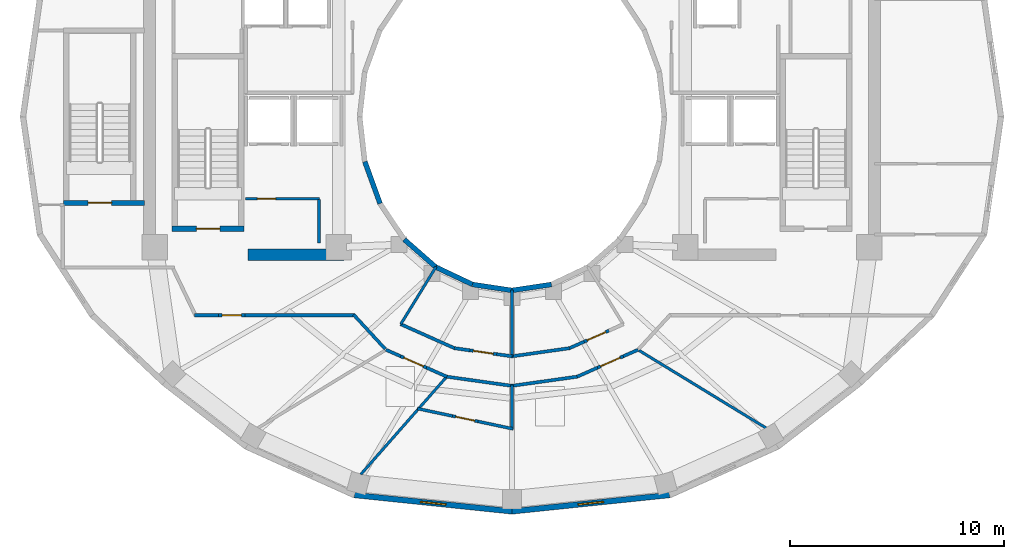
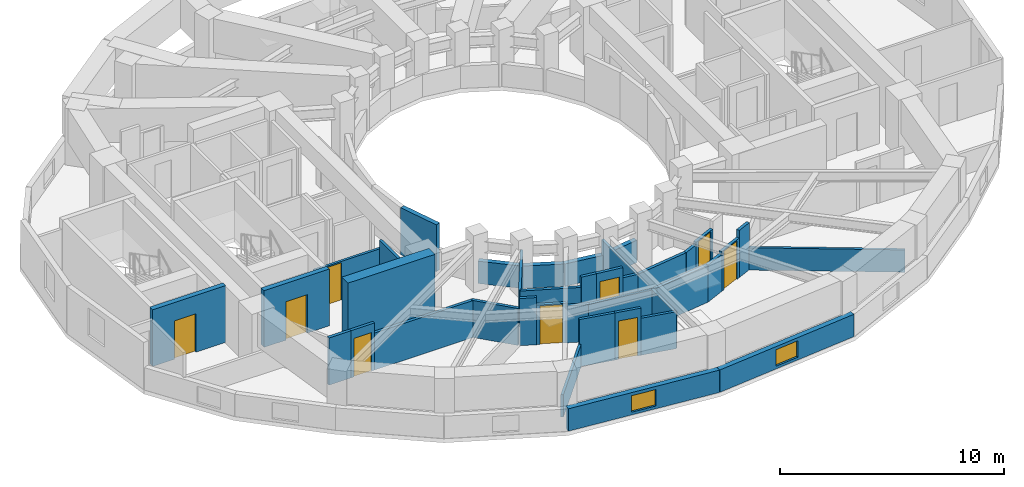
# One storey, part 3 of 9: 39 walls, 9 doors, 2 windows, 11 openings.
"""IFC4 building model written with IfcOpenShell, lengths in metres."""

from ifc_helpers import new_model, si_unit, direction, frame, frame_2d, origin, place, context, subcontext, project, spatial, rectangle, extrude, material, layer, layer_set, type_object, element, fill, save


model = new_model("IFC4")

# Units and contexts
model_context = context("Model", 3, precision=1e-05, world=origin(), true_north=direction((0.0, 1.0)))
body_context = subcontext(model_context, "Body", "Model", "MODEL_VIEW")
ifc_project = project(units=[si_unit("LENGTHUNIT", "METRE"), si_unit("AREAUNIT", "SQUARE_METRE"), si_unit("VOLUMEUNIT", "CUBIC_METRE"), si_unit("PLANEANGLEUNIT", "RADIAN"), si_unit("MASSUNIT", "GRAM", prefix="KILO")], contexts=[model_context])

# Site, building, storey
site_placement = place(None, origin())
site = spatial("IfcSite", under=ifc_project, at=site_placement, CompositionType="ELEMENT")
building_placement = place(site_placement, origin())
building = spatial("IfcBuilding", under=site, at=building_placement, Name="Solvane Sanctuary Tower", CompositionType="ELEMENT")
storey_placement = place(building_placement, frame((0.0, 0.0, 177.699951171875)))
storey = spatial("IfcBuildingStorey", under=building, at=storey_placement, Name="L54", CompositionType="ELEMENT", Elevation=177.699951171875)

# Walls
ifc_material_1 = material(Name="Concrete C50/60", Category="concrete")
ifc_layer_1 = layer(ifc_material_1, 0.550048828125, Name="Concrete C50/60")
ifc_layer_set_1 = layer_set([ifc_layer_1], Name="Concrete C50/60")
wall_type_1 = type_object("IfcWallType", Name="Wall W-CORE-550", PredefinedType="SHEAR", material=ifc_layer_set_1)
wall_1_placement = place(storey_placement, frame((19.64990234375, 16.550048828125, 0.0), z_axis=(0.0, 0.0, 1.0), x_axis=(1.0, 0.0, 0.0)))
element("IfcWall", 1, at=wall_1_placement, inside=storey, type_object=wall_type_1, Name="L54 Core Shear Wall WC-S", PredefinedType="SHEAR", context=body_context, shape_type="SweptSolid", body=[
    extrude(rectangle(XDim=4.5, YDim=0.550048828125, at=frame_2d((2.25, 0.0))), origin(), (0.0, 0.0, 1.0), 3.10009765625),
])
ifc_material_2 = material(Name="Acoustic Gypsum Partition Board")
ifc_layer_2 = layer(ifc_material_2, 0.14990234375, Name="Acoustic Gypsum Partition Board")
ifc_layer_set_2 = layer_set([ifc_layer_2], Name="Acoustic Gypsum Partition Board")
wall_type_2 = type_object("IfcWallType", Name="Wall W-CORR-150", PredefinedType="PARTITIONING", material=ifc_layer_set_2)
wall_2_placement = place(storey_placement, frame((26.07177734375, 12.144287109375, 0.0), z_axis=(0.0, 0.0, 1.0), x_axis=(-0.677579737957, 0.735449317567, 0.0)))
element("IfcWall", 2, at=wall_2_placement, inside=storey, type_object=wall_type_2, Name="L54 SW Corner Throat Wall", PredefinedType="PARTITIONING", context=body_context, shape_type="SweptSolid", body=[
    extrude(rectangle(XDim=2.172607421875, YDim=0.14990234375, at=frame_2d((1.08642578125, 0.0))), origin(), (0.0, 0.0, 1.0), 2.01904296875),
])
wall_3_placement = place(storey_placement, frame((17.14990234375, 13.719970703125, 0.0), z_axis=(0.0, 0.0, 1.0), x_axis=(1.0, 0.0, 0.0)))
element("IfcWall", 3, at=wall_3_placement, inside=storey, type_object=wall_type_2, Name="L54 SW Corner Corridor Wall", PredefinedType="PARTITIONING", context=body_context, shape_type="SweptSolid", body=[
    extrude(rectangle(XDim=1.14013671875, YDim=0.14990234375, at=frame_2d((0.570068359375, 0.0))), origin(), (0.0, 0.0, 1.0), 2.574951171875),
])

# Wall, opening, door
wall_4_placement = place(storey_placement, frame((18.2900390625, 13.719970703125, 0.0), z_axis=(0.0, 0.0, 1.0), x_axis=(1.0, 0.0, 0.0)))
wall_4 = element("IfcWall", 4, at=wall_4_placement, inside=storey, type_object=wall_type_2, Name="L54 SW Corner Corridor Wall", PredefinedType="PARTITIONING", context=body_context, shape_type="SweptSolid", body=[
    extrude(rectangle(XDim=1.219970703125, YDim=0.14990234375, at=frame_2d((0.60986328125, 0.0))), origin(), (0.0, 0.0, 1.0), 2.574951171875),
])
opening_1_placement = place(wall_4_placement, frame((0.159912109375, 0.0, 0.0)))
opening_1 = element("IfcOpeningElement", 5, at=opening_1_placement, cuts=wall_4, Name="Opening D-L54-16", PredefinedType="OPENING", context=body_context, shape_type="SweptSolid", body=[
    extrude(rectangle(XDim=0.89990234375, YDim=2.10009765625, at=frame_2d((0.449951171875, 1.050048828125))), frame((0.0, 0.0849609375, 0.0), z_axis=(0.0, -1.0, 0.0), x_axis=(1.0, 0.0, 0.0)), (0.0, 0.0, 1.0), 0.169921875),
])
ifc_material_3 = material(Name="Engineered Tropical Hardwood", Category="wood")
door_type_1 = type_object("IfcDoorType", Name="Door D-WET-900", OperationType="NOTDEFINED", PredefinedType="DOOR", material=ifc_material_3)
door_1_placement = place(opening_1_placement, origin())
door_1 = element("IfcDoor", 6, at=door_1_placement, inside=storey, type_object=door_type_1, Name="L54 SW Corner Salon Door", OperationType="SINGLE_SWING_RIGHT", OverallHeight=2.10009765625, OverallWidth=0.89990234375, PredefinedType="DOOR", context=body_context, shape_type="SweptSolid", body=[
    extrude(rectangle(XDim=0.89990234375, YDim=2.10009765625, at=frame_2d((0.449951171875, 1.050048828125))), frame((0.0, 0.02490234375, 0.0), z_axis=(0.0, -1.0, 0.0), x_axis=(1.0, 0.0, 0.0)), (0.0, 0.0, 1.0), 0.050048828125),
])
fill(opening_1, door_1)

# Walls
wall_5_placement = place(storey_placement, frame((19.510009765625, 13.719970703125, 0.0), z_axis=(0.0, 0.0, 1.0), x_axis=(1.0, 0.0, 0.0)))
element("IfcWall", 7, at=wall_5_placement, inside=storey, type_object=wall_type_2, Name="L54 SW Corner Corridor Wall", PredefinedType="PARTITIONING", context=body_context, shape_type="SweptSolid", body=[
    extrude(rectangle(XDim=5.159912109375, YDim=0.14990234375, at=frame_2d((2.580078125, 0.0))), origin(), (0.0, 0.0, 1.0), 2.01904296875),
])
wall_6_placement = place(storey_placement, frame((26.792724609375, 13.302734375, 0.0), z_axis=(0.0, 0.0, 1.0), x_axis=(0.913145536541, -0.407633694749, 0.0)))
element("IfcWall", 8, at=wall_6_placement, inside=storey, type_object=wall_type_2, Name="L54 Inner Light-Well Corridor Wall S1", PredefinedType="PARTITIONING", context=body_context, shape_type="SweptSolid", body=[
    extrude(rectangle(XDim=2.75634765625, YDim=0.14990234375, at=frame_2d((1.378173828125, 0.0))), origin(), (0.0, 0.0, 1.0), 2.01904296875),
])
wall_7_placement = place(storey_placement, frame((29.305908203125, 12.18017578125, 0.0), z_axis=(0.0, 0.0, 1.0), x_axis=(0.990156034925, -0.139967948123, 0.0)))
element("IfcWall", 9, at=wall_7_placement, inside=storey, type_object=wall_type_2, Name="L54 Inner Light-Well Corridor Wall S1", PredefinedType="PARTITIONING", context=body_context, shape_type="SweptSolid", body=[
    extrude(rectangle(XDim=0.72900390625, YDim=0.14990234375, at=frame_2d((0.364501953125, 0.0))), origin(), (0.0, 0.0, 1.0), 2.574951171875),
])

# Wall, opening, door
wall_8_placement = place(storey_placement, frame((30.02783203125, 12.078125, 0.0), z_axis=(0.0, 0.0, 1.0), x_axis=(0.990133183593, -0.140129507055, 0.0)))
wall_8 = element("IfcWall", 10, at=wall_8_placement, inside=storey, type_object=wall_type_2, Name="L54 Inner Light-Well Corridor Wall S1", PredefinedType="PARTITIONING", context=body_context, shape_type="SweptSolid", body=[
    extrude(rectangle(XDim=1.27001953125, YDim=0.14990234375, at=frame_2d((0.635009765625, 0.0))), origin(), (0.0, 0.0, 1.0), 2.574951171875),
])
opening_2_placement = place(wall_8_placement, frame((0.159912109375, 0.0, 0.0)))
opening_2 = element("IfcOpeningElement", 11, at=opening_2_placement, cuts=wall_8, Name="Opening D-L54-18", PredefinedType="OPENING", context=body_context, shape_type="SweptSolid", body=[
    extrude(rectangle(XDim=0.949951171875, YDim=2.10009765625, at=frame_2d((0.47509765625, 1.050048828125))), frame((0.0, 0.0849609375, 0.0), z_axis=(0.0, -1.0, 0.0), x_axis=(1.0, 0.0, 0.0)), (0.0, 0.0, 1.0), 0.169921875),
])
door_type_2 = type_object("IfcDoorType", Name="Door D-ROOM-950", OperationType="NOTDEFINED", PredefinedType="DOOR", material=ifc_material_3)
door_2_placement = place(opening_2_placement, origin())
door_2 = element("IfcDoor", 12, at=door_2_placement, inside=storey, type_object=door_type_2, Name="L54 Inner Light-Well Salon Door S1", OperationType="SINGLE_SWING_RIGHT", OverallHeight=2.10009765625, OverallWidth=0.949951171875, PredefinedType="DOOR", context=body_context, shape_type="SweptSolid", body=[
    extrude(rectangle(XDim=0.949951171875, YDim=2.10009765625, at=frame_2d((0.47509765625, 1.050048828125))), frame((0.0, 0.02490234375, 0.0), z_axis=(0.0, -1.0, 0.0), x_axis=(1.0, 0.0, 0.0)), (0.0, 0.0, 1.0), 0.050048828125),
])
fill(opening_2, door_2)

# Walls
wall_9_placement = place(storey_placement, frame((31.285400390625, 11.900146484375, 0.0), z_axis=(0.0, 0.0, 1.0), x_axis=(0.990156034925, -0.139967948123, 0.0)))
element("IfcWall", 13, at=wall_9_placement, inside=storey, type_object=wall_type_2, Name="L54 Inner Light-Well Corridor Wall S1", PredefinedType="PARTITIONING", context=body_context, shape_type="SweptSolid", body=[
    extrude(rectangle(XDim=0.72900390625, YDim=0.14990234375, at=frame_2d((0.364501953125, 0.0))), origin(), (0.0, 0.0, 1.0), 2.01904296875),
])
wall_10_placement = place(storey_placement, frame((31.99267578125, 11.798095703125, 0.0), z_axis=(0.0, 0.0, 1.0), x_axis=(0.990145400278, 0.140043158738, 0.0)))
element("IfcWall", 14, at=wall_10_placement, inside=storey, type_object=wall_type_2, Name="L54 Inner Light-Well Corridor Wall S2", PredefinedType="PARTITIONING", context=body_context, shape_type="SweptSolid", body=[
    extrude(rectangle(XDim=2.728271484375, YDim=0.14990234375, at=frame_2d((1.3642578125, 0.0))), origin(), (0.0, 0.0, 1.0), 2.01904296875),
])
wall_11_placement = place(storey_placement, frame((34.6904296875, 12.17919921875, 0.0), z_axis=(0.0, 0.0, 1.0), x_axis=(0.91314661581, 0.407631277057, 0.0)))
element("IfcWall", 15, at=wall_11_placement, inside=storey, type_object=wall_type_2, Name="L54 Inner Light-Well Corridor Wall S2", PredefinedType="PARTITIONING", context=body_context, shape_type="SweptSolid", body=[
    extrude(rectangle(XDim=0.7431640625, YDim=0.14990234375, at=frame_2d((0.37158203125, 0.0))), origin(), (0.0, 0.0, 1.0), 2.01904296875),
])

# Wall, opening, door
wall_12_placement = place(storey_placement, frame((35.369140625, 12.482177734375, 0.0), z_axis=(0.0, 0.0, 1.0), x_axis=(0.913176215469, 0.407564963536, 0.0)))
wall_12 = element("IfcWall", 16, at=wall_12_placement, inside=storey, type_object=wall_type_2, Name="L54 Inner Light-Well Corridor Wall S2", PredefinedType="PARTITIONING", context=body_context, shape_type="SweptSolid", body=[
    extrude(rectangle(XDim=1.27001953125, YDim=0.14990234375, at=frame_2d((0.635009765625, 0.0))), origin(), (0.0, 0.0, 1.0), 2.16015625),
])
opening_3_placement = place(wall_12_placement, frame((0.159912109375, 0.0, 0.0)))
opening_3 = element("IfcOpeningElement", 17, at=opening_3_placement, cuts=wall_12, Name="Opening D-L54-19", PredefinedType="OPENING", context=body_context, shape_type="SweptSolid", body=[
    extrude(rectangle(XDim=0.949951171875, YDim=2.10009765625, at=frame_2d((0.47509765625, 1.050048828125))), frame((0.0, 0.0849609375, 0.0), z_axis=(0.0, -1.0, 0.0), x_axis=(1.0, 0.0, 0.0)), (0.0, 0.0, 1.0), 0.169921875),
])
door_3_placement = place(opening_3_placement, origin())
door_3 = element("IfcDoor", 18, at=door_3_placement, inside=storey, type_object=door_type_2, Name="L54 Inner Light-Well Salon Door S2", OperationType="SINGLE_SWING_LEFT", OverallHeight=2.10009765625, OverallWidth=0.949951171875, PredefinedType="DOOR", context=body_context, shape_type="SweptSolid", body=[
    extrude(rectangle(XDim=0.949951171875, YDim=2.10009765625, at=frame_2d((0.47509765625, 1.050048828125))), frame((0.0, 0.02490234375, 0.0), z_axis=(0.0, -1.0, 0.0), x_axis=(1.0, 0.0, 0.0)), (0.0, 0.0, 1.0), 0.050048828125),
])
fill(opening_3, door_3)

# Wall
wall_13_placement = place(storey_placement, frame((26.101806640625, 12.108154296875, 0.0), z_axis=(0.0, 0.0, 1.0), x_axis=(0.914526186943, -0.404526702945, 0.0)))
element("IfcWall", 19, at=wall_13_placement, inside=storey, type_object=wall_type_2, Name="L54 Unit Corridor Wall S1", PredefinedType="PARTITIONING", context=body_context, shape_type="SweptSolid", body=[
    extrude(rectangle(XDim=0.75927734375, YDim=0.14990234375, at=frame_2d((0.379638671875, 0.0))), origin(), (0.0, 0.0, 1.0), 2.574951171875),
])

# Wall, opening, door
wall_14_placement = place(storey_placement, frame((26.796142578125, 11.801025390625, 0.0), z_axis=(0.0, 0.0, 1.0), x_axis=(0.914549810084, -0.404473293155, 0.0)))
wall_14 = element("IfcWall", 20, at=wall_14_placement, inside=storey, type_object=wall_type_2, Name="L54 Unit Corridor Wall S1", PredefinedType="PARTITIONING", context=body_context, shape_type="SweptSolid", body=[
    extrude(rectangle(XDim=1.320068359375, YDim=0.14990234375, at=frame_2d((0.66015625, 0.0))), origin(), (0.0, 0.0, 1.0), 2.16015625),
])
opening_4_placement = place(wall_14_placement, frame((0.159912109375, 0.0, 0.0)))
opening_4 = element("IfcOpeningElement", 21, at=opening_4_placement, cuts=wall_14, Name="Opening D-L54-23", PredefinedType="OPENING", context=body_context, shape_type="SweptSolid", body=[
    extrude(rectangle(XDim=1.0, YDim=2.10009765625, at=frame_2d((0.5, 1.050048828125))), frame((0.0, 0.0849609375, 0.0), z_axis=(0.0, -1.0, 0.0), x_axis=(1.0, 0.0, 0.0)), (0.0, 0.0, 1.0), 0.169921875),
])
door_type_3 = type_object("IfcDoorType", Name="Door D-UNIT", OperationType="NOTDEFINED", PredefinedType="DOOR", material=ifc_material_3)
door_4_placement = place(opening_4_placement, origin())
door_4 = element("IfcDoor", 22, at=door_4_placement, inside=storey, type_object=door_type_3, Name="L54 Unit Entrance Door S1", OperationType="SINGLE_SWING_LEFT", OverallHeight=2.10009765625, OverallWidth=1.0, PredefinedType="DOOR", context=body_context, shape_type="SweptSolid", body=[
    extrude(rectangle(XDim=1.0, YDim=2.10009765625, at=frame_2d((0.5, 1.050048828125))), frame((0.0, 0.02490234375, 0.0), z_axis=(0.0, -1.0, 0.0), x_axis=(1.0, 0.0, 0.0)), (0.0, 0.0, 1.0), 0.050048828125),
])
fill(opening_4, door_4)

# Walls
wall_15_placement = place(storey_placement, frame((28.00341796875, 11.26708984375, 0.0), z_axis=(0.0, 0.0, 1.0), x_axis=(0.914475459316, -0.40464136505, 0.0)))
element("IfcWall", 23, at=wall_15_placement, inside=storey, type_object=wall_type_2, Name="L54 Unit Corridor Wall S1", PredefinedType="PARTITIONING", context=body_context, shape_type="SweptSolid", body=[
    extrude(rectangle(XDim=1.04443359375, YDim=0.14990234375, at=frame_2d((0.522216796875, 0.0))), origin(), (0.0, 0.0, 1.0), 2.01904296875),
])
wall_16_placement = place(storey_placement, frame((28.901123046875, 10.853759765625, 0.0), z_axis=(0.0, 0.0, 1.0), x_axis=(0.990251283702, -0.139292480508, 0.0)))
element("IfcWall", 24, at=wall_16_placement, inside=storey, type_object=wall_type_2, Name="L54 En-suite Inner Wall S2", PredefinedType="PARTITIONING", context=body_context, shape_type="SweptSolid", body=[
    extrude(rectangle(XDim=3.179443359375, YDim=0.14990234375, at=frame_2d((1.58984375, 0.0))), origin(), (0.0, 0.0, 1.0), 2.01904296875),
])
wall_17_placement = place(storey_placement, frame((31.99169921875, 10.41796875, 0.0), z_axis=(0.0, 0.0, 1.0), x_axis=(0.990254709652, 0.13926812274, 0.0)))
element("IfcWall", 25, at=wall_17_placement, inside=storey, type_object=wall_type_2, Name="L54 Unit Corridor Wall S2", PredefinedType="PARTITIONING", context=body_context, shape_type="SweptSolid", body=[
    extrude(rectangle(XDim=3.095947265625, YDim=0.14990234375, at=frame_2d((1.5478515625, 0.0))), origin(), (0.0, 0.0, 1.0), 2.01904296875),
])
wall_18_placement = place(storey_placement, frame((35.04150390625, 10.844482421875, 0.0), z_axis=(0.0, 0.0, 1.0), x_axis=(0.914475459316, 0.40464136505, 0.0)))
element("IfcWall", 26, at=wall_18_placement, inside=storey, type_object=wall_type_2, Name="L54 Unit Corridor Wall S2", PredefinedType="PARTITIONING", context=body_context, shape_type="SweptSolid", body=[
    extrude(rectangle(XDim=1.04443359375, YDim=0.14990234375, at=frame_2d((0.522216796875, 0.0))), origin(), (0.0, 0.0, 1.0), 2.01904296875),
])

# Wall, opening, door
wall_19_placement = place(storey_placement, frame((35.99658203125, 11.26708984375, 0.0), z_axis=(0.0, 0.0, 1.0), x_axis=(0.914549810084, 0.404473293155, 0.0)))
wall_19 = element("IfcWall", 27, at=wall_19_placement, inside=storey, type_object=wall_type_2, Name="L54 Unit Corridor Wall S2", PredefinedType="PARTITIONING", context=body_context, shape_type="SweptSolid", body=[
    extrude(rectangle(XDim=1.320068359375, YDim=0.14990234375, at=frame_2d((0.66015625, 0.0))), origin(), (0.0, 0.0, 1.0), 2.16015625),
])
opening_5_placement = place(wall_19_placement, frame((0.159912109375, 0.0, 0.0)))
opening_5 = element("IfcOpeningElement", 28, at=opening_5_placement, cuts=wall_19, Name="Opening D-L54-25", PredefinedType="OPENING", context=body_context, shape_type="SweptSolid", body=[
    extrude(rectangle(XDim=1.0, YDim=2.10009765625, at=frame_2d((0.5, 1.050048828125))), frame((0.0, 0.0849609375, 0.0), z_axis=(0.0, -1.0, 0.0), x_axis=(1.0, 0.0, 0.0)), (0.0, 0.0, 1.0), 0.169921875),
])
door_5_placement = place(opening_5_placement, origin())
door_5 = element("IfcDoor", 29, at=door_5_placement, inside=storey, type_object=door_type_3, Name="L54 Unit Entrance Door S2", OperationType="SINGLE_SWING_LEFT", OverallHeight=2.10009765625, OverallWidth=1.0, PredefinedType="DOOR", context=body_context, shape_type="SweptSolid", body=[
    extrude(rectangle(XDim=1.0, YDim=2.10009765625, at=frame_2d((0.5, 1.050048828125))), frame((0.0, 0.02490234375, 0.0), z_axis=(0.0, -1.0, 0.0), x_axis=(1.0, 0.0, 0.0)), (0.0, 0.0, 1.0), 0.050048828125),
])
fill(opening_5, door_5)

# Wall
wall_20_placement = place(storey_placement, frame((37.203857421875, 11.801025390625, 0.0), z_axis=(0.0, 0.0, 1.0), x_axis=(0.914526186943, 0.404526702945, 0.0)))
element("IfcWall", 30, at=wall_20_placement, inside=storey, type_object=wall_type_2, Name="L54 Unit Corridor Wall S2", PredefinedType="PARTITIONING", context=body_context, shape_type="SweptSolid", body=[
    extrude(rectangle(XDim=0.75927734375, YDim=0.14990234375, at=frame_2d((0.379638671875, 0.0))), origin(), (0.0, 0.0, 1.0), 2.574951171875),
])

# Wall, opening, window
ifc_material_4 = material(Name="Precast concrete C40/50", Category="concrete")
ifc_layer_3 = layer(ifc_material_4, 0.260009765625, Name="Precast concrete C40/50")
ifc_layer_set_3 = layer_set([ifc_layer_3], Name="Precast concrete C40/50")
wall_type_3 = type_object("IfcWallType", Name="Wall W-EXT-250", PredefinedType="STANDARD", material=ifc_layer_set_3)
wall_21_placement = place(storey_placement, frame((24.634765625, 5.3154296875, 0.0), z_axis=(0.0, 0.0, 1.0), x_axis=(0.994664178965, -0.10316574569, 0.0)))
wall_21 = element("IfcWall", 31, at=wall_21_placement, inside=storey, type_object=wall_type_3, Name="L54 Ceramic-Printed Facade Wall 17", PredefinedType="STANDARD", context=body_context, shape_type="SweptSolid", body=[
    extrude(rectangle(XDim=7.40478515625, YDim=0.260009765625, at=frame_2d((3.702392578125, 0.0))), origin(), (0.0, 0.0, 1.0), 1.219970703125),
])
opening_6_placement = place(wall_21_placement, frame((3.102294921875, 0.0, 0.14990234375)))
opening_6 = element("IfcOpeningElement", 32, at=opening_6_placement, cuts=wall_21, Name="Opening WN-OPER-1200", PredefinedType="OPENING", context=body_context, shape_type="SweptSolid", body=[
    extrude(rectangle(XDim=1.199951171875, YDim=0.89990234375, at=frame_2d((0.60009765625, 0.449951171875))), frame((0.0, 0.139892578125, 0.0), z_axis=(0.0, -1.0, 0.0), x_axis=(1.0, 0.0, 0.0)), (0.0, 0.0, 1.0), 0.280029296875),
])
ifc_material_5 = material(Name="Dark Ceramic-Fritted Low-E Glass", Category="glass")
window_type = type_object("IfcWindowType", Name="Window WN-OPER-1200", PartitioningType="SINGLE_PANEL", PredefinedType="WINDOW", material=ifc_material_5)
window_1_placement = place(opening_6_placement, origin())
window_1 = element("IfcWindow", 33, at=window_1_placement, inside=storey, type_object=window_type, Name="L54 Operable Facade Window 17", OverallHeight=0.89990234375, OverallWidth=1.199951171875, PartitioningType="SINGLE_PANEL", PredefinedType="WINDOW", context=body_context, shape_type="SweptSolid", body=[
    extrude(rectangle(XDim=1.199951171875, YDim=0.89990234375, at=frame_2d((0.60009765625, 0.449951171875))), frame((0.0, 0.030029296875, 0.0), z_axis=(0.0, -1.0, 0.0), x_axis=(1.0, 0.0, 0.0)), (0.0, 0.0, 1.0), 0.06005859375),
])
fill(opening_6, window_1)

wall_22_placement = place(storey_placement, frame((32.0, 4.551513671875, 0.0), z_axis=(0.0, 0.0, 1.0), x_axis=(0.994664178965, 0.10316574569, 0.0)))
wall_22 = element("IfcWall", 34, at=wall_22_placement, inside=storey, type_object=wall_type_3, Name="L54 Ceramic-Printed Facade Wall 18", PredefinedType="STANDARD", context=body_context, shape_type="SweptSolid", body=[
    extrude(rectangle(XDim=7.40478515625, YDim=0.260009765625, at=frame_2d((3.702392578125, 0.0))), origin(), (0.0, 0.0, 1.0), 1.219970703125),
])
opening_7_placement = place(wall_22_placement, frame((3.102294921875, 0.0, 0.14990234375)))
opening_7 = element("IfcOpeningElement", 35, at=opening_7_placement, cuts=wall_22, Name="Opening WN-OPER-1200", PredefinedType="OPENING", context=body_context, shape_type="SweptSolid", body=[
    extrude(rectangle(XDim=1.199951171875, YDim=0.89990234375, at=frame_2d((0.60009765625, 0.449951171875))), frame((0.0, 0.139892578125, 0.0), z_axis=(0.0, -1.0, 0.0), x_axis=(1.0, 0.0, 0.0)), (0.0, 0.0, 1.0), 0.280029296875),
])
window_2_placement = place(opening_7_placement, origin())
window_2 = element("IfcWindow", 36, at=window_2_placement, inside=storey, type_object=window_type, Name="L54 Operable Facade Window 18", OverallHeight=0.89990234375, OverallWidth=1.199951171875, PartitioningType="SINGLE_PANEL", PredefinedType="WINDOW", context=body_context, shape_type="SweptSolid", body=[
    extrude(rectangle(XDim=1.199951171875, YDim=0.89990234375, at=frame_2d((0.60009765625, 0.449951171875))), frame((0.0, 0.030029296875, 0.0), z_axis=(0.0, -1.0, 0.0), x_axis=(1.0, 0.0, 0.0)), (0.0, 0.0, 1.0), 0.06005859375),
])
fill(opening_7, window_2)

# Walls
ifc_layer_4 = layer(ifc_material_4, 0.22998046875, Name="Precast concrete C40/50")
ifc_layer_set_4 = layer_set([ifc_layer_4], Name="Precast concrete C40/50")
wall_type_4 = type_object("IfcWallType", Name="Wall W-EXT-SP220", PredefinedType="STANDARD", material=ifc_layer_set_4)
wall_23_placement = place(storey_placement, frame((25.12255859375, 20.8984375, 0.0), z_axis=(0.0, 0.0, 1.0), x_axis=(0.341423187295, -0.93990968033, 0.0)))
element("IfcWall", 37, at=wall_23_placement, inside=storey, type_object=wall_type_4, Name="L54 Central Light-Well Wall 13", PredefinedType="STANDARD", context=body_context, shape_type="SweptSolid", body=[
    extrude(rectangle(XDim=2.083740234375, YDim=0.22998046875, at=frame_2d((1.0419921875, 0.0))), origin(), (0.0, 0.0, 1.0), 2.56005859375),
])
wall_24_placement = place(storey_placement, frame((26.96533203125, 17.25830078125, 0.0), z_axis=(0.0, 0.0, 1.0), x_axis=(0.752576694707, -0.658504607869, 0.0)))
element("IfcWall", 38, at=wall_24_placement, inside=storey, type_object=wall_type_4, Name="L54 Central Light-Well Wall 15", PredefinedType="STANDARD", context=body_context, shape_type="SweptSolid", body=[
    extrude(rectangle(XDim=1.95947265625, YDim=0.22998046875, at=frame_2d((0.979736328125, 0.0))), origin(), (0.0, 0.0, 1.0), 1.219970703125),
])
wall_25_placement = place(storey_placement, frame((28.43994140625, 15.968017578125, 0.0), z_axis=(0.0, 0.0, 1.0), x_axis=(0.904179699603, -0.427152280606, 0.0)))
element("IfcWall", 39, at=wall_25_placement, inside=storey, type_object=wall_type_4, Name="L54 Central Light-Well Wall 16", PredefinedType="STANDARD", context=body_context, shape_type="SweptSolid", body=[
    extrude(rectangle(XDim=1.899169921875, YDim=0.22998046875, at=frame_2d((0.94970703125, 0.0))), origin(), (0.0, 0.0, 1.0), 1.219970703125),
])
for number, where, z_axis, x_axis, name in (
    (40, (30.1572265625, 15.15673828125, 0.0), (0.0, 0.0, 1.0), (0.988901730308, -0.148571086668, 0.0), "L54 Central Light-Well Wall 17"),
    (41, (32.0, 14.8798828125, 0.0), (0.0, 0.0, 1.0), (0.988901730308, 0.148571086668, 0.0), "L54 Central Light-Well Wall 18"),
):
    element("IfcWall", number, at=place(storey_placement, frame(where, z_axis=z_axis, x_axis=x_axis)), inside=storey, type_object=wall_type_4, Name=name, PredefinedType="STANDARD", context=body_context, shape_type="SweptSolid", body=[
        extrude(rectangle(XDim=1.863525390625, YDim=0.22998046875, at=frame_2d((0.931640625, 0.0))), origin(), (0.0, 0.0, 1.0), 1.219970703125),
    ])

# Wall, opening, door
ifc_layer_5 = layer(ifc_material_2, 0.125, Name="Acoustic Gypsum Partition Board")
ifc_layer_set_5 = layer_set([ifc_layer_5], Name="Acoustic Gypsum Partition Board")
wall_type_5 = type_object("IfcWallType", Name="Wall W-PART-125", PredefinedType="PARTITIONING", material=ifc_layer_set_5)
wall_26_placement = place(storey_placement, frame((19.550048828125, 19.159912109375, 0.0), z_axis=(0.0, 0.0, 1.0), x_axis=(1.0, 0.0, 0.0)))
wall_26 = element("IfcWall", 42, at=wall_26_placement, inside=storey, type_object=wall_type_5, Name="L54 Reclaimed Room Partition PLW", PredefinedType="PARTITIONING", context=body_context, shape_type="SweptSolid", body=[
    extrude(rectangle(XDim=3.449951171875, YDim=0.125, at=frame_2d((1.72509765625, 0.0))), origin(), (0.0, 0.0, 1.0), 2.1201171875),
])
opening_8_placement = place(wall_26_placement, frame((0.550048828125, 0.0, 0.0)))
opening_8 = element("IfcOpeningElement", 43, at=opening_8_placement, cuts=wall_26, Name="Opening D-L54-06", PredefinedType="OPENING", context=body_context, shape_type="SweptSolid", body=[
    extrude(rectangle(XDim=0.85009765625, YDim=2.050048828125, at=frame_2d((0.425048828125, 1.02490234375))), frame((0.0, 0.072509765625, 0.0), z_axis=(0.0, -1.0, 0.0), x_axis=(1.0, 0.0, 0.0)), (0.0, 0.0, 1.0), 0.14501953125),
])
ifc_material_6 = material(Name="Architectural Stainless Steel 316", Category="steel")
door_type_4 = type_object("IfcDoorType", Name="Door D-RISER", OperationType="NOTDEFINED", PredefinedType="DOOR", material=ifc_material_6)
door_6_placement = place(opening_8_placement, origin())
door_6 = element("IfcDoor", 44, at=door_6_placement, inside=storey, type_object=door_type_4, Name="L54 Reclaimed Room Door PLW-1", OperationType="SINGLE_SWING_RIGHT", OverallHeight=2.050048828125, OverallWidth=0.85009765625, PredefinedType="DOOR", context=body_context, shape_type="SweptSolid", body=[
    extrude(rectangle(XDim=0.85009765625, YDim=2.050048828125, at=frame_2d((0.425048828125, 1.02490234375))), frame((0.0, 0.02490234375, 0.0), z_axis=(0.0, -1.0, 0.0), x_axis=(1.0, 0.0, 0.0)), (0.0, 0.0, 1.0), 0.050048828125),
])
fill(opening_8, door_6)

# Walls
wall_27_placement = place(storey_placement, frame((22.97998046875, 17.10009765625, 0.0), z_axis=(0.0, 0.0, 1.0), x_axis=(0.0, 1.0, 0.0)))
element("IfcWall", 45, at=wall_27_placement, inside=storey, type_object=wall_type_5, Name="L54 Reclaimed Room Closer Wall PLW-1", PredefinedType="PARTITIONING", context=body_context, shape_type="SweptSolid", body=[
    extrude(rectangle(XDim=2.039794921875, YDim=0.125, at=frame_2d((1.02001953125, 0.0))), origin(), (0.0, 0.0, 1.0), 2.574951171875),
])
wall_28_placement = place(storey_placement, frame((28.449951171875, 15.985107421875, 0.0), z_axis=(0.0, 0.0, 1.0), x_axis=(-0.523587550846, -0.851971875474, 0.0)))
element("IfcWall", 46, at=wall_28_placement, inside=storey, type_object=wall_type_5, Name="L54 Inner Light-Well Radial Wall 240", PredefinedType="PARTITIONING", context=body_context, shape_type="SweptSolid", body=[
    extrude(rectangle(XDim=3.153076171875, YDim=0.125, at=frame_2d((1.57666015625, 0.0))), origin(), (0.0, 0.0, 1.0), 2.01904296875),
])
wall_29_placement = place(storey_placement, frame((32.0, 14.89990234375, 0.0), z_axis=(0.0, 0.0, 1.0), x_axis=(0.0, -1.0, 0.0)))
element("IfcWall", 47, at=wall_29_placement, inside=storey, type_object=wall_type_5, Name="L54 Inner Light-Well Radial Wall 270", PredefinedType="PARTITIONING", context=body_context, shape_type="SweptSolid", body=[
    extrude(rectangle(XDim=3.101806640625, YDim=0.125, at=frame_2d((1.55078125, 0.0))), origin(), (0.0, 0.0, 1.0), 2.01904296875),
])
wall_30_placement = place(storey_placement, frame((28.914306640625, 10.805419921875, 0.0), z_axis=(0.0, 0.0, 1.0), x_axis=(-0.660581320981, -0.750754499401, 0.0)))
element("IfcWall", 48, at=wall_30_placement, inside=storey, type_object=wall_type_5, Name="L54 Radial Compartment Wall 255", PredefinedType="PARTITIONING", context=body_context, shape_type="SweptSolid", body=[
    extrude(rectangle(XDim=6.02685546875, YDim=0.125, at=frame_2d((3.013427734375, 0.0))), origin(), (0.0, 0.0, 1.0), 1.219970703125),
])
wall_31_placement = place(storey_placement, frame((37.93798828125, 12.074951171875, 0.0), z_axis=(0.0, 0.0, 1.0), x_axis=(0.853440334679, -0.521190555501, 0.0)))
element("IfcWall", 49, at=wall_31_placement, inside=storey, type_object=wall_type_5, Name="L54 Radial Compartment Wall 300", PredefinedType="PARTITIONING", context=body_context, shape_type="SweptSolid", body=[
    extrude(rectangle(XDim=6.966064453125, YDim=0.125, at=frame_2d((3.48291015625, 0.0))), origin(), (0.0, 0.0, 1.0), 1.219970703125),
])

# Wall, opening, door
ifc_layer_6 = layer(ifc_material_1, 0.25, Name="Concrete C50/60")
ifc_layer_set_6 = layer_set([ifc_layer_6], Name="Concrete C50/60")
wall_type_6 = type_object("IfcWallType", Name="Wall W-SHAFT-250", PredefinedType="SOLIDWALL", material=ifc_layer_set_6)
wall_32_placement = place(storey_placement, frame((16.10498046875, 17.77001953125, 0.0), z_axis=(0.0, 0.0, 1.0), x_axis=(1.0, 0.0, 0.0)))
wall_32 = element("IfcWall", 50, at=wall_32_placement, inside=storey, type_object=wall_type_6, Name="L54 ST-1 Load-Bearing Shaft Wall S", PredefinedType="SOLIDWALL", context=body_context, shape_type="SweptSolid", body=[
    extrude(rectangle(XDim=3.3701171875, YDim=0.25, at=frame_2d((1.68505859375, 0.0))), origin(), (0.0, 0.0, 1.0), 3.10009765625),
])
opening_9_placement = place(wall_32_placement, frame((1.135009765625, 0.0, 0.0)))
opening_9 = element("IfcOpeningElement", 51, at=opening_9_placement, cuts=wall_32, Name="Opening D-L54-01", PredefinedType="OPENING", context=body_context, shape_type="SweptSolid", body=[
    extrude(rectangle(XDim=1.10009765625, YDim=2.10009765625, at=frame_2d((0.550048828125, 1.050048828125))), frame((0.0, 0.135009765625, 0.0), z_axis=(0.0, -1.0, 0.0), x_axis=(1.0, 0.0, 0.0)), (0.0, 0.0, 1.0), 0.27001953125),
])
door_type_5 = type_object("IfcDoorType", Name="Door D-STAIR", OperationType="NOTDEFINED", PredefinedType="DOOR", material=ifc_material_6)
door_7_placement = place(opening_9_placement, origin())
door_7 = element("IfcDoor", 52, at=door_7_placement, inside=storey, type_object=door_type_5, Name="L54 ST-1 Exit Stair Fire Door", OperationType="SINGLE_SWING_RIGHT", OverallHeight=2.10009765625, OverallWidth=1.10009765625, PredefinedType="DOOR", context=body_context, shape_type="SweptSolid", body=[
    extrude(rectangle(XDim=1.10009765625, YDim=2.10009765625, at=frame_2d((0.550048828125, 1.050048828125))), frame((0.0, 0.02490234375, 0.0), z_axis=(0.0, -1.0, 0.0), x_axis=(1.0, 0.0, 0.0)), (0.0, 0.0, 1.0), 0.050048828125),
])
fill(opening_9, door_7)

wall_33_placement = place(storey_placement, frame((11.044921875, 18.969970703125, 0.0), z_axis=(0.0, 0.0, 1.0), x_axis=(1.0, 0.0, 0.0)))
wall_33 = element("IfcWall", 53, at=wall_33_placement, inside=storey, type_object=wall_type_6, Name="L54 ST-3 Load-Bearing Shaft Wall S", PredefinedType="SOLIDWALL", context=body_context, shape_type="SweptSolid", body=[
    extrude(rectangle(XDim=3.781982421875, YDim=0.25, at=frame_2d((1.89111328125, 0.0))), origin(), (0.0, 0.0, 1.0), 3.10009765625),
])
opening_10_placement = place(wall_33_placement, frame((1.135009765625, 0.0, 0.0)))
opening_10 = element("IfcOpeningElement", 54, at=opening_10_placement, cuts=wall_33, Name="Opening D-L54-03", PredefinedType="OPENING", context=body_context, shape_type="SweptSolid", body=[
    extrude(rectangle(XDim=1.10009765625, YDim=2.10009765625, at=frame_2d((0.550048828125, 1.050048828125))), frame((0.0, 0.135009765625, 0.0), z_axis=(0.0, -1.0, 0.0), x_axis=(1.0, 0.0, 0.0)), (0.0, 0.0, 1.0), 0.27001953125),
])
door_8_placement = place(opening_10_placement, origin())
door_8 = element("IfcDoor", 55, at=door_8_placement, inside=storey, type_object=door_type_5, Name="L54 ST-3 Exit Stair Fire Door", OperationType="SINGLE_SWING_RIGHT", OverallHeight=2.10009765625, OverallWidth=1.10009765625, PredefinedType="DOOR", context=body_context, shape_type="SweptSolid", body=[
    extrude(rectangle(XDim=1.10009765625, YDim=2.10009765625, at=frame_2d((0.550048828125, 1.050048828125))), frame((0.0, 0.02490234375, 0.0), z_axis=(0.0, -1.0, 0.0), x_axis=(1.0, 0.0, 0.0)), (0.0, 0.0, 1.0), 0.050048828125),
])
fill(opening_10, door_8)

# Walls
ifc_layer_7 = layer(ifc_material_2, 0.139892578125, Name="Acoustic Gypsum Partition Board")
ifc_layer_set_7 = layer_set([ifc_layer_7], Name="Acoustic Gypsum Partition Board")
wall_type_7 = type_object("IfcWallType", Name="Wall W-WET-140", PredefinedType="PLUMBINGWALL", material=ifc_layer_set_7)
wall_34_placement = place(storey_placement, frame((32.0, 10.468017578125, 0.0), z_axis=(0.0, 0.0, 1.0), x_axis=(0.0, -1.0, 0.0)))
element("IfcWall", 56, at=wall_34_placement, inside=storey, type_object=wall_type_7, Name="L54 En-suite Side Partition S2", PredefinedType="PLUMBINGWALL", context=body_context, shape_type="SweptSolid", body=[
    extrude(rectangle(XDim=2.10009765625, YDim=0.139892578125, at=frame_2d((1.050048828125, 0.0))), origin(), (0.0, 0.0, 1.0), 2.01904296875),
])
wall_35_placement = place(storey_placement, frame((27.58056640625, 9.355712890625, 0.0), z_axis=(0.0, 0.0, 1.0), x_axis=(0.978225152663, -0.207546502496, 0.0)))
element("IfcWall", 57, at=wall_35_placement, inside=storey, type_object=wall_type_7, Name="L54 En-suite Bedroom Wall S2", PredefinedType="PLUMBINGWALL", context=body_context, shape_type="SweptSolid", body=[
    extrude(rectangle(XDim=1.673828125, YDim=0.139892578125, at=frame_2d((0.8369140625, 0.0))), origin(), (0.0, 0.0, 1.0), 2.574951171875),
])

# Wall, opening, door
wall_36_placement = place(storey_placement, frame((29.218017578125, 9.00830078125, 0.0), z_axis=(0.0, 0.0, 1.0), x_axis=(0.97818732348, -0.20772472213, 0.0)))
wall_36 = element("IfcWall", 58, at=wall_36_placement, inside=storey, type_object=wall_type_7, Name="L54 En-suite Bedroom Wall S2", PredefinedType="PLUMBINGWALL", context=body_context, shape_type="SweptSolid", body=[
    extrude(rectangle(XDim=1.219970703125, YDim=0.139892578125, at=frame_2d((0.60986328125, 0.0))), origin(), (0.0, 0.0, 1.0), 2.574951171875),
])
opening_11_placement = place(wall_36_placement, frame((0.159912109375, 0.0, 0.0)))
opening_11 = element("IfcOpeningElement", 59, at=opening_11_placement, cuts=wall_36, Name="Opening D-L54-24", PredefinedType="OPENING", context=body_context, shape_type="SweptSolid", body=[
    extrude(rectangle(XDim=0.89990234375, YDim=2.10009765625, at=frame_2d((0.449951171875, 1.050048828125))), frame((0.0, 0.079833984375, 0.0), z_axis=(0.0, -1.0, 0.0), x_axis=(1.0, 0.0, 0.0)), (0.0, 0.0, 1.0), 0.159912109375),
])
door_9_placement = place(opening_11_placement, origin())
door_9 = element("IfcDoor", 60, at=door_9_placement, inside=storey, type_object=door_type_1, Name="L54 En-suite Bathroom Door S2", OperationType="SINGLE_SWING_RIGHT", OverallHeight=2.10009765625, OverallWidth=0.89990234375, PredefinedType="DOOR", context=body_context, shape_type="SweptSolid", body=[
    extrude(rectangle(XDim=0.89990234375, YDim=2.10009765625, at=frame_2d((0.449951171875, 1.050048828125))), frame((0.0, 0.02490234375, 0.0), z_axis=(0.0, -1.0, 0.0), x_axis=(1.0, 0.0, 0.0)), (0.0, 0.0, 1.0), 0.050048828125),
])
fill(opening_11, door_9)

# Wall
wall_37_placement = place(storey_placement, frame((30.411376953125, 8.7548828125, 0.0), z_axis=(0.0, 0.0, 1.0), x_axis=(0.978254755399, -0.207406927416, 0.0)))
element("IfcWall", 61, at=wall_37_placement, inside=storey, type_object=wall_type_7, Name="L54 En-suite Bedroom Wall S2", PredefinedType="PLUMBINGWALL", context=body_context, shape_type="SweptSolid", body=[
    extrude(rectangle(XDim=1.673828125, YDim=0.139892578125, at=frame_2d((0.8369140625, 0.0))), origin(), (0.0, 0.0, 1.0), 2.01904296875),
])

save(model, "model.ifc")
